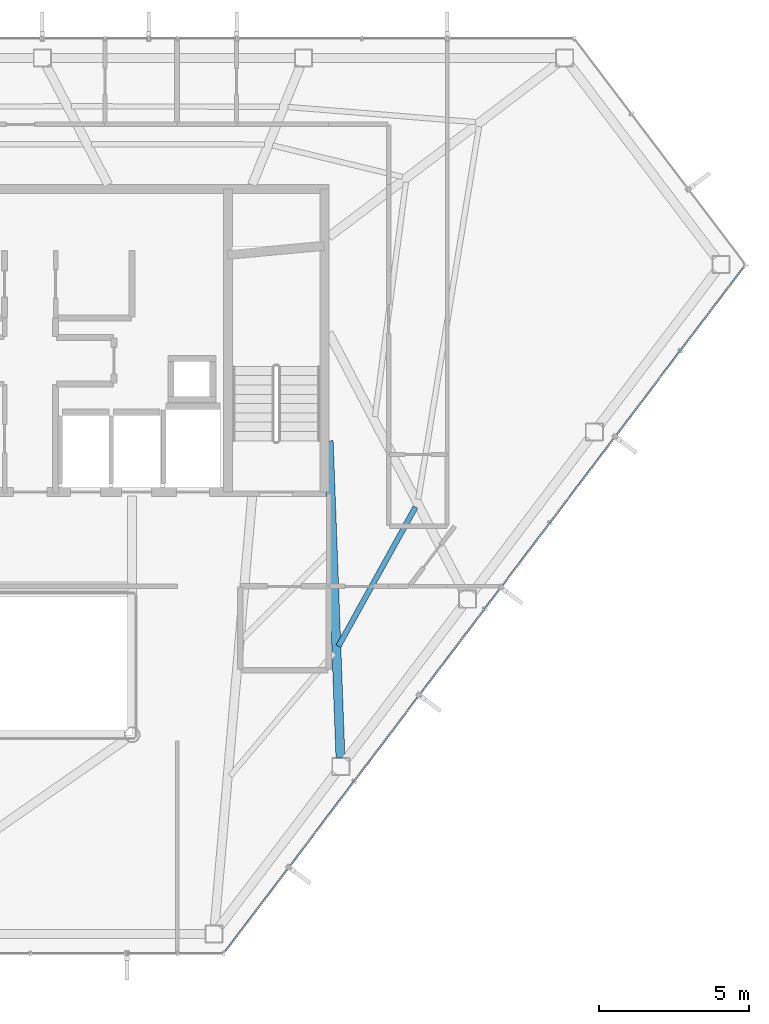
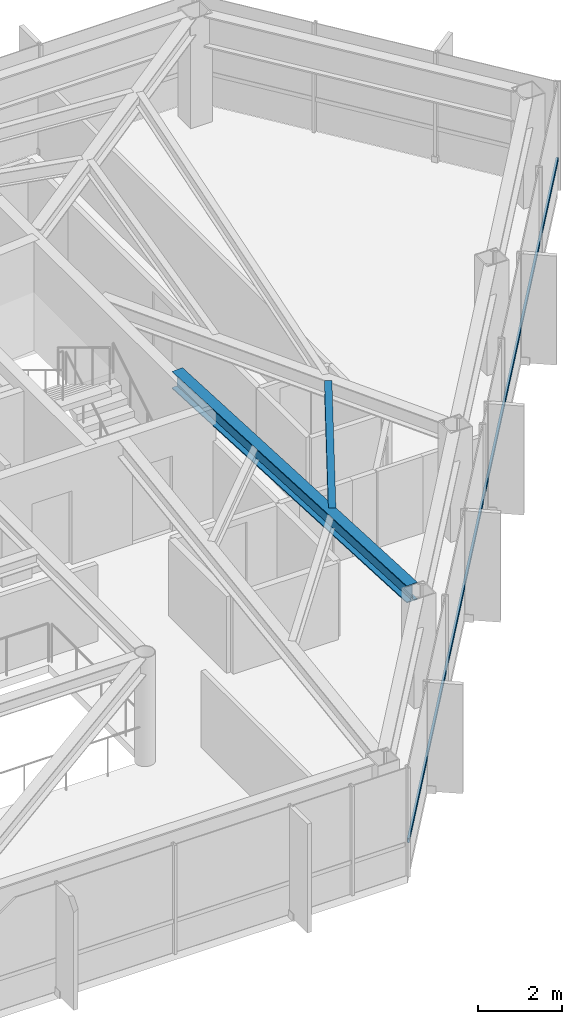
# One storey, part 15 of 25: 2 beams, 1 member, 1 element without a shape of its own.
"""IFC4 building model written with IfcOpenShell, lengths in metres."""

from ifc_helpers import new_model, si_unit, direction, frame, origin, origin_2d, place, context, subcontext, project, spatial, hollow_rectangle, i_section, extrude, material, layer, layer_set, material_profile, profile_set, type_object, element, aggregate, save


model = new_model("IFC4")

# Units and contexts
model_context = context("Model", 3, precision=1e-05, world=origin(), true_north=direction((0.0, 1.0)))
body_context = subcontext(model_context, "Body", "Model", "MODEL_VIEW")
ifc_project = project(units=[si_unit("LENGTHUNIT", "METRE"), si_unit("AREAUNIT", "SQUARE_METRE"), si_unit("VOLUMEUNIT", "CUBIC_METRE"), si_unit("PLANEANGLEUNIT", "RADIAN"), si_unit("MASSUNIT", "GRAM", prefix="KILO")], contexts=[model_context])

# Site, building, storey
site_placement = place(None, origin())
site = spatial("IfcSite", under=ifc_project, at=site_placement, CompositionType="ELEMENT")
building_placement = place(site_placement, origin())
building = spatial("IfcBuilding", under=site, at=building_placement, Name="Zarrinselat Tower", CompositionType="ELEMENT")
storey_placement = place(building_placement, frame((0.0, 0.0, 208.760009765625)))
storey = spatial("IfcBuildingStorey", under=building, at=storey_placement, Name="L51", CompositionType="ELEMENT", Elevation=208.760009765625)

# Beams
ifc_material_1 = material(Name="Steel S355J2", Category="steel")
ifc_material_profile_1 = material_profile(ifc_material_1, i_section(OverallWidth=0.300048828125, OverallDepth=0.5, WebThickness=0.014404296875, FlangeThickness=0.028076171875, at=origin_2d()), Name="HEB 500")
ifc_profile_set_1 = profile_set([ifc_material_profile_1], Name="Steel S355J2")
beam_type_1 = type_object("IfcBeamType", Name="BM-HEB500", PredefinedType="BEAM", material=ifc_profile_set_1)
beam_1_placement = place(storey_placement, frame((48.35009765625, 35.0, 2.929931640625), z_axis=(0.037040718493, -0.999313757122, 0.0), x_axis=(0.999313757122, 0.037040718493, 0.0)))
element("IfcBeam", 1, at=beam_1_placement, inside=storey, type_object=beam_type_1, Name="L51 Radial Primary Girder RG12", PredefinedType="BEAM", context=body_context, shape_type="SweptSolid", body=[
    extrude(i_section(OverallWidth=0.300048828125, OverallDepth=0.5, WebThickness=0.014404296875, FlangeThickness=0.028076171875, at=origin_2d()), origin(), (0.0, 0.0, 1.0), 10.565673828125),
])
ifc_material_2 = material(Name="Steel S355J2", Category="steel")
ifc_material_profile_2 = material_profile(ifc_material_2, i_section(OverallWidth=0.179931640625, OverallDepth=0.39990234375, WebThickness=0.008544921875, FlangeThickness=0.013427734375, at=origin_2d()), Name="IPE 400")
ifc_profile_set_2 = profile_set([ifc_material_profile_2], Name="Steel S355J2")
beam_type_2 = type_object("IfcBeamType", Name="BM-IPE400", PredefinedType="JOIST", material=ifc_profile_set_2)
beam_2_placement = place(storey_placement, frame((48.67626953125, 28.15380859375, 2.97998046875), z_axis=(0.484458092188, 0.874814469995, 0.0), x_axis=(-0.874814469995, 0.484458092188, 0.0)))
element("IfcBeam", 2, at=beam_2_placement, inside=storey, type_object=beam_type_2, Name="L51 Composite Floor Joist 4-1", PredefinedType="JOIST", context=body_context, shape_type="SweptSolid", body=[
    extrude(i_section(OverallWidth=0.179931640625, OverallDepth=0.39990234375, WebThickness=0.008544921875, FlangeThickness=0.013427734375, at=origin_2d()), origin(), (0.0, 0.0, 1.0), 5.302978515625),
])

# Curtain wall, member
ifc_material_3 = material(Name="Extruded Aluminium Alloy EN AW-6063 T6", Category="aluminium")
ifc_layer = layer(ifc_material_3, 0.169921875)
ifc_layer_set = layer_set([ifc_layer], Name="Extruded Aluminium Alloy EN AW-6063 T6")
curtain_wall_type = type_object("IfcCurtainWallType", Name="CWS-RES", PredefinedType="NOTDEFINED", material=ifc_layer_set)
curtain_wall_placement = place(storey_placement, origin())
curtain_wall = element("IfcCurtainWall", 3, at=curtain_wall_placement, inside=storey, type_object=curtain_wall_type, Name="L51 Unitised Curtain Wall CW-L51-E05", PredefinedType="NOTDEFINED")
ifc_material_4 = material(Name="Extruded Aluminium Alloy EN AW-6063 T6", Category="aluminium")
ifc_material_profile_3 = material_profile(ifc_material_4, hollow_rectangle(XDim=0.06005859375, YDim=0.1201171875, WallThickness=0.00390625, at=origin_2d()), Name="RHS 120x60x4")
ifc_profile_set_3 = profile_set([ifc_material_profile_3], Name="Extruded Aluminium Alloy EN AW-6063 T6")
member_type = type_object("IfcMemberType", Name="MEM-CW-TRN2", PredefinedType="USERDEFINED", material=ifc_profile_set_3)
member_placement = place(storey_placement, frame((44.9033203125, 17.982177734375, 0.949951171875), z_axis=(0.603859165425, 0.797091028887, 0.0), x_axis=(-0.797091028887, 0.603859165425, 0.0)))
member = element("IfcMember", 4, at=member_placement, type_object=member_type, Name="CW-L51-E05 Transom 1", ObjectType="TRANSOM", PredefinedType="USERDEFINED", context=body_context, shape_type="SweptSolid", body=[
    extrude(hollow_rectangle(XDim=0.06005859375, YDim=0.1201171875, WallThickness=0.00390625, at=origin_2d()), origin(), (0.0, 0.0, 1.0), 28.6337890625),
])
aggregate(curtain_wall, [member])

save(model, "model.ifc")
